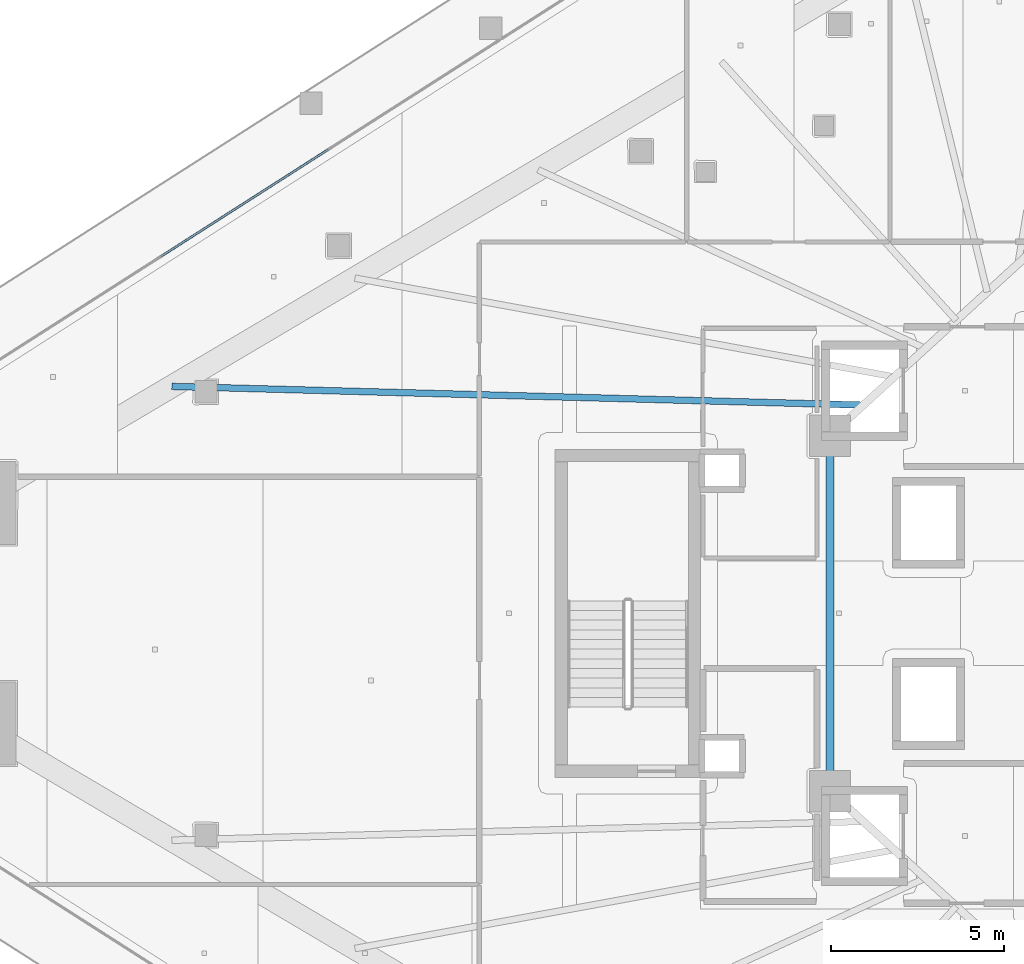
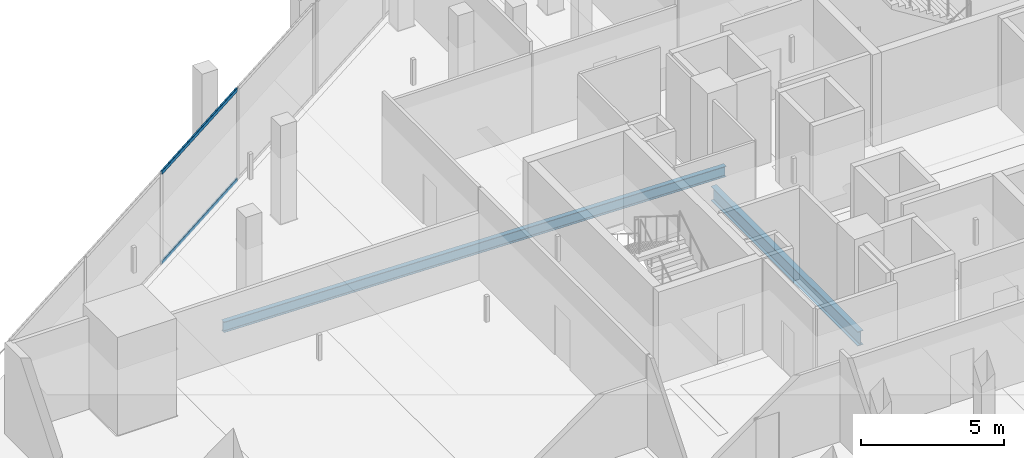
# One storey, part 14 of 44: 2 beams, 2 members, 1 element without a shape of its own.
"""IFC4 building model written with IfcOpenShell, lengths in metres."""

from ifc_helpers import new_model, si_unit, direction, frame, origin, origin_2d, place, context, subcontext, project, spatial, hollow_rectangle, i_section, extrude, material, layer, layer_set, material_profile, profile_set, type_object, element, aggregate, save


model = new_model("IFC4")

# Units and contexts
model_context = context("Model", 3, precision=1e-05, world=origin(), true_north=direction((0.0, 1.0)))
body_context = subcontext(model_context, "Body", "Model", "MODEL_VIEW")
ifc_project = project(units=[si_unit("LENGTHUNIT", "METRE"), si_unit("AREAUNIT", "SQUARE_METRE"), si_unit("VOLUMEUNIT", "CUBIC_METRE"), si_unit("PLANEANGLEUNIT", "RADIAN"), si_unit("MASSUNIT", "GRAM", prefix="KILO")], contexts=[model_context])

# Site, building, storey
site_placement = place(None, origin())
site = spatial("IfcSite", under=ifc_project, at=site_placement, CompositionType="ELEMENT")
building_placement = place(site_placement, origin())
building = spatial("IfcBuilding", under=site, at=building_placement, Name="Qorvath Tower", CompositionType="ELEMENT")
storey_placement = place(building_placement, frame((0.0, 0.0, 70.199951171875)))
storey = spatial("IfcBuildingStorey", under=building, at=storey_placement, Name="L15", CompositionType="ELEMENT", Elevation=70.199951171875)

# Beams
ifc_material_1 = material(Name="Steel ASTM A992 Grade 50", Category="steel")
ifc_material_profile_1 = material_profile(ifc_material_1, i_section(OverallWidth=0.22998046875, OverallDepth=0.616943359375, WebThickness=0.01318359375, FlangeThickness=0.022216796875, FilletRadius=0.014892578125, at=origin_2d()), Name="W24x94")
ifc_profile_set_1 = profile_set([ifc_material_profile_1], Name="Steel ASTM A992 Grade 50")
beam_type_1 = type_object("IfcBeamType", Name="BM-FG6", PredefinedType="BEAM", material=ifc_profile_set_1)
beam_1_placement = place(storey_placement, frame((-30.5, -5.14990234375, -0.588623046875), z_axis=(0.0, 1.0, 0.0), x_axis=(-1.0, 0.0, 0.0)))
element("IfcBeam", 1, at=beam_1_placement, inside=storey, type_object=beam_type_1, Name="Core Ring Girder CC6-CC5 L15", PredefinedType="BEAM", context=body_context, shape_type="SweptSolid", body=[
    extrude(i_section(OverallWidth=0.22998046875, OverallDepth=0.616943359375, WebThickness=0.01318359375, FlangeThickness=0.022216796875, FilletRadius=0.014892578125, at=origin_2d()), origin(), (0.0, 0.0, 1.0), 10.2998046875),
])
ifc_material_2 = material(Name="Steel ASTM A992 Grade 50", Category="steel")
ifc_material_profile_2 = material_profile(ifc_material_2, i_section(OverallWidth=0.18994140625, OverallDepth=0.45703125, WebThickness=0.009033203125, FlangeThickness=0.014404296875, FilletRadius=0.011962890625, at=origin_2d()), Name="W18x50")
ifc_profile_set_2 = profile_set([ifc_material_profile_2], Name="Steel ASTM A992 Grade 50")
beam_type_2 = type_object("IfcBeamType", Name="BM-FJ2", PredefinedType="JOIST", material=ifc_profile_set_2)
beam_2_placement = place(storey_placement, frame((-29.533935546875, 6.031982421875, -0.508544921875), z_axis=(-0.999634925413, 0.02701880631, 0.0), x_axis=(-0.02701880631, -0.999634925413, 0.0)))
element("IfcBeam", 2, at=beam_2_placement, inside=storey, type_object=beam_type_2, Name="Composite Floor Joist NW1 L15", PredefinedType="JOIST", context=body_context, shape_type="SweptSolid", body=[
    extrude(i_section(OverallWidth=0.18994140625, OverallDepth=0.45703125, WebThickness=0.009033203125, FlangeThickness=0.014404296875, FilletRadius=0.011962890625, at=origin_2d()), origin(), (0.0, 0.0, 1.0), 20.041748046875),
])

# Curtain wall, members
ifc_material_3 = material(Name="Anodised aluminium and triple low-E glass", Category="aluminium")
ifc_layer = layer(ifc_material_3, 0.179931640625)
ifc_layer_set = layer_set([ifc_layer], Name="CW-SYS-2")
curtain_wall_type = type_object("IfcCurtainWallType", Name="CW-SYS-2", PredefinedType="NOTDEFINED", material=ifc_layer_set)
curtain_wall_placement = place(storey_placement, origin())
curtain_wall = element("IfcCurtainWall", 3, at=curtain_wall_placement, inside=storey, type_object=curtain_wall_type, Name="Curtain Wall CW-2 CW-T-L15-16.3", PredefinedType="NOTDEFINED")
ifc_material_4 = material(Name="Anodised aluminium 6063-T6", Category="aluminium")
ifc_material_profile_3 = material_profile(ifc_material_4, hollow_rectangle(XDim=0.06494140625, YDim=0.159912109375, WallThickness=0.00341796875, InnerFilletRadius=0.00341796875, OuterFilletRadius=0.007080078125, at=origin_2d()), Name="CWT 160x65")
ifc_profile_set_3 = profile_set([ifc_material_profile_3], Name="Anodised aluminium 6063-T6")
member_type = type_object("IfcMemberType", Name="CWT-160", PredefinedType="USERDEFINED", material=ifc_profile_set_3)
member_1_placement = place(storey_placement, frame((-45.033935546875, 13.4384765625, 0.032470703125), z_axis=(-0.842601476504, -0.538537604809, 0.0), x_axis=(0.538537604809, -0.842601476504, 0.0)))
member_1 = element("IfcMember", 4, at=member_1_placement, type_object=member_type, Name="CW-2 transom 2.1", ObjectType="TRANSOM", PredefinedType="USERDEFINED", context=body_context, shape_type="SweptSolid", body=[
    extrude(hollow_rectangle(XDim=0.06494140625, YDim=0.159912109375, WallThickness=0.00341796875, InnerFilletRadius=0.00341796875, OuterFilletRadius=0.007080078125, at=origin_2d()), origin(), (0.0, 0.0, 1.0), 5.74658203125),
])
member_2_placement = place(storey_placement, frame((-45.033935546875, 13.4384765625, 3.8876953125), z_axis=(-0.842601476504, -0.538537604809, 0.0), x_axis=(0.538537604809, -0.842601476504, 0.0)))
member_2 = element("IfcMember", 5, at=member_2_placement, type_object=member_type, Name="CW-2 transom 2.2", ObjectType="TRANSOM", PredefinedType="USERDEFINED", context=body_context, shape_type="SweptSolid", body=[
    extrude(hollow_rectangle(XDim=0.06494140625, YDim=0.159912109375, WallThickness=0.00341796875, InnerFilletRadius=0.00341796875, OuterFilletRadius=0.007080078125, at=origin_2d()), origin(), (0.0, 0.0, 1.0), 5.74658203125),
])
aggregate(curtain_wall, [member_1, member_2])

save(model, "model.ifc")
